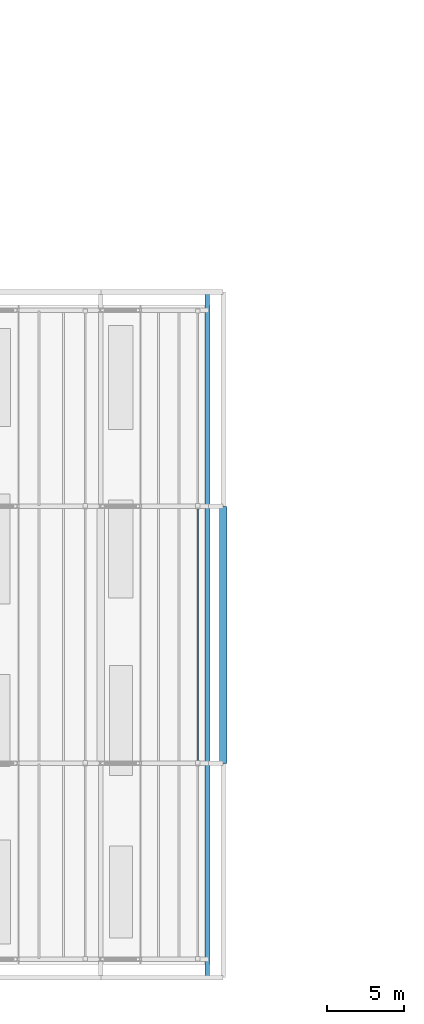
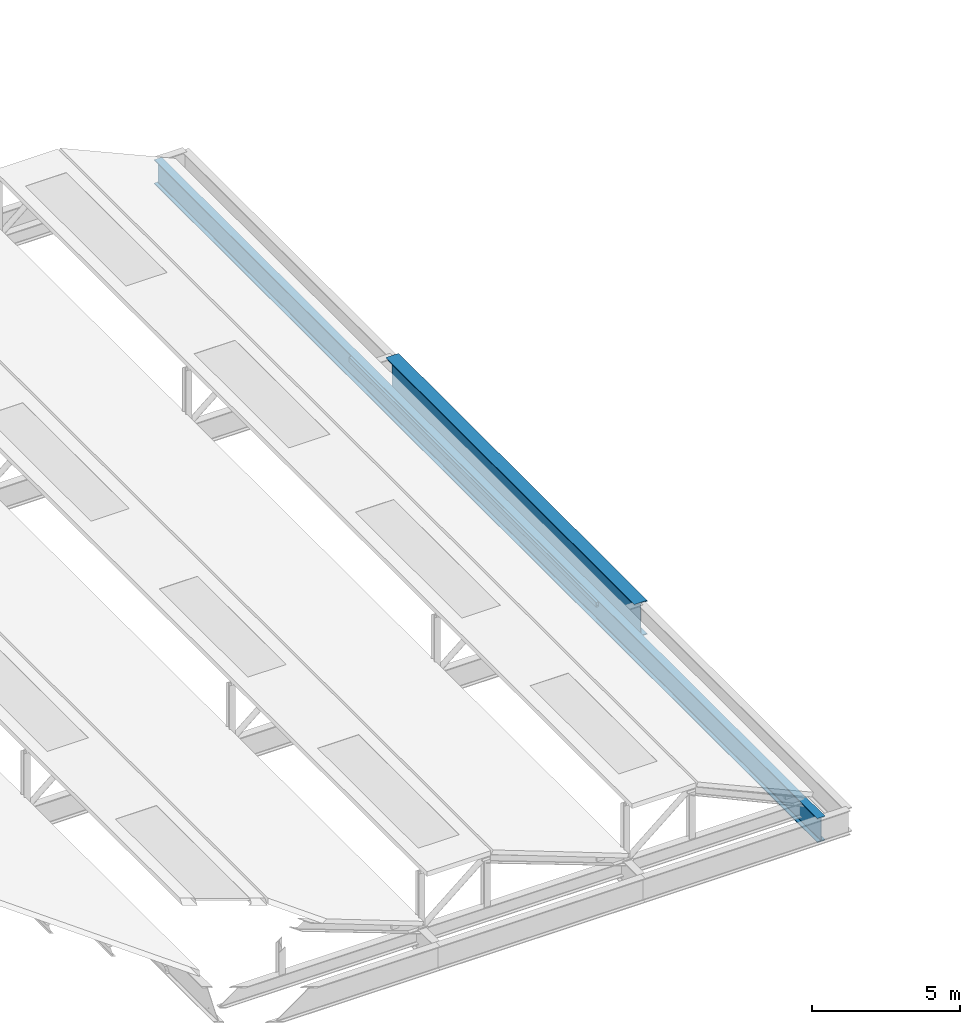
# One storey, part 6 of 14: 2 beams, 1 member.
"""IFC4 building model written with IfcOpenShell, lengths in metres."""

from ifc_helpers import new_model, si_unit, direction, frame, origin, origin_2d, place, context, subcontext, project, spatial, hollow_rectangle, i_section, extrude, material, material_profile, profile_set, type_object, element, save


model = new_model("IFC4")

# Units and contexts
model_context = context("Model", 3, precision=1e-05, world=origin(), true_north=direction((0.0, 1.0)))
body_context = subcontext(model_context, "Body", "Model", "MODEL_VIEW")
ifc_project = project(units=[si_unit("LENGTHUNIT", "METRE"), si_unit("AREAUNIT", "SQUARE_METRE"), si_unit("VOLUMEUNIT", "CUBIC_METRE"), si_unit("PLANEANGLEUNIT", "RADIAN"), si_unit("MASSUNIT", "GRAM", prefix="KILO")], contexts=[model_context])

# Site, building, storey
site_placement = place(None, origin())
site = spatial("IfcSite", under=ifc_project, at=site_placement, CompositionType="ELEMENT")
building_placement = place(site_placement, origin())
building = spatial("IfcBuilding", under=site, at=building_placement, Name="Vekula Escarpment Museum", CompositionType="ELEMENT")
storey_placement = place(building_placement, frame((0.0, 0.0, 30.60009765625)))
storey = spatial("IfcBuildingStorey", under=building, at=storey_placement, Name="RF", CompositionType="ELEMENT", Elevation=30.60009765625)

# Beams
ifc_material_1 = material(Name="Steel S355", Category="steel")
ifc_material_profile_1 = material_profile(ifc_material_1, i_section(OverallWidth=0.300048828125, OverallDepth=1.0, WebThickness=0.01904296875, FlangeThickness=0.035888671875, FilletRadius=0.030029296875, at=origin_2d()), Name="HEB 1000")
ifc_profile_set_1 = profile_set([ifc_material_profile_1], Name="Steel S355")
beam_type_1 = type_object("IfcBeamType", Name="BM-TRUSS-CHORD-BOT", PredefinedType="BEAM", material=ifc_profile_set_1)
beam_1_placement = place(storey_placement, frame((124.949951171875, 45.60009765625, -2.75), z_axis=(0.0, 1.0, 0.0), x_axis=(-1.0, 0.0, 0.0)))
element("IfcBeam", 1, at=beam_1_placement, inside=storey, type_object=beam_type_1, Name="Sawtooth East Crown Girder RF 2473", PredefinedType="BEAM", context=body_context, shape_type="SweptSolid", body=[
    extrude(i_section(OverallWidth=0.300048828125, OverallDepth=1.0, WebThickness=0.01904296875, FlangeThickness=0.035888671875, FilletRadius=0.030029296875, at=origin_2d()), origin(), (0.0, 0.0, 1.0), 44.7998046875),
])
ifc_material_2 = material(Name="Steel S355", Category="steel")
ifc_material_profile_2 = material_profile(ifc_material_2, i_section(OverallWidth=0.5, OverallDepth=1.39990234375, WebThickness=0.02392578125, FlangeThickness=0.0400390625, FilletRadius=0.02392578125, at=origin_2d()), Name="WPG 1400x500")
ifc_profile_set_2 = profile_set([ifc_material_profile_2], Name="Steel S355")
beam_type_2 = type_object("IfcBeamType", Name="BM-TRUSS-CHORD-TOP", PredefinedType="BEAM", material=ifc_profile_set_2)
beam_2_placement = place(storey_placement, frame((126.0, 59.60009765625, -2.9501953125), z_axis=(0.0, 1.0, 0.0), x_axis=(-1.0, 0.0, 0.0)))
element("IfcBeam", 2, at=beam_2_placement, inside=storey, type_object=beam_type_2, Name="Sawtooth Tie Girder RF 2496", PredefinedType="BEAM", context=body_context, shape_type="SweptSolid", body=[
    extrude(i_section(OverallWidth=0.5, OverallDepth=1.39990234375, WebThickness=0.02392578125, FlangeThickness=0.0400390625, FilletRadius=0.02392578125, at=origin_2d()), origin(), (0.0, 0.0, 1.0), 16.7998046875),
])

# Member
ifc_material_3 = material(Name="Steel S355", Category="steel")
ifc_material_profile_3 = material_profile(ifc_material_3, hollow_rectangle(XDim=0.10009765625, YDim=0.199951171875, WallThickness=0.008056640625, InnerFilletRadius=0.008056640625, OuterFilletRadius=0.01611328125, at=origin_2d()), Name="RHS 200x100x8")
ifc_profile_set_3 = profile_set([ifc_material_profile_3], Name="Steel S355")
member_type = type_object("IfcMemberType", Name="MB-PURL-RHS200", PredefinedType="PURLIN", material=ifc_profile_set_3)
member_placement = place(storey_placement, frame((124.330078125, 59.64990234375, -1.780029296875), z_axis=(0.0, 1.0, 0.0), x_axis=(-1.0, 0.0, 0.0)))
element("IfcMember", 3, at=member_placement, inside=storey, type_object=member_type, Name="Sawtooth Roof Purlin 090", PredefinedType="PURLIN", context=body_context, shape_type="SweptSolid", body=[
    extrude(hollow_rectangle(XDim=0.10009765625, YDim=0.199951171875, WallThickness=0.008056640625, InnerFilletRadius=0.008056640625, OuterFilletRadius=0.01611328125, at=origin_2d()), origin(), (0.0, 0.0, 1.0), 16.7001953125),
])

save(model, "model.ifc")
